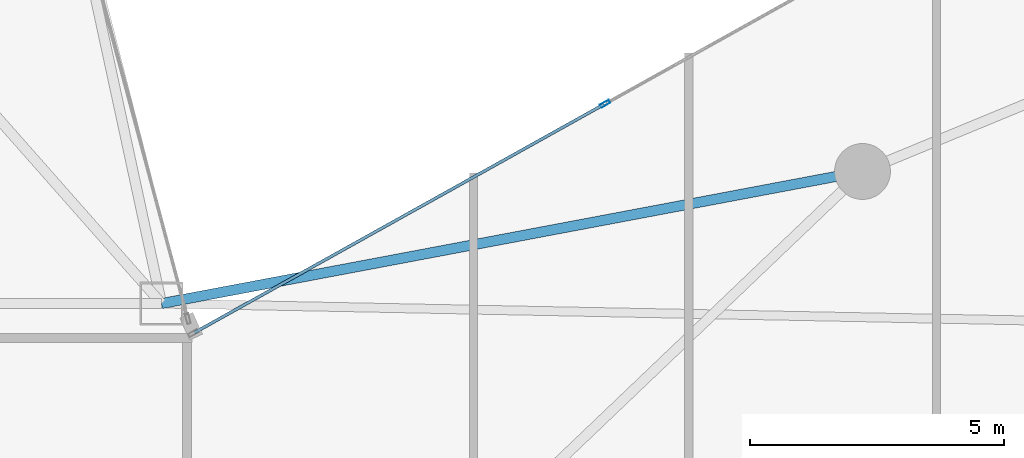
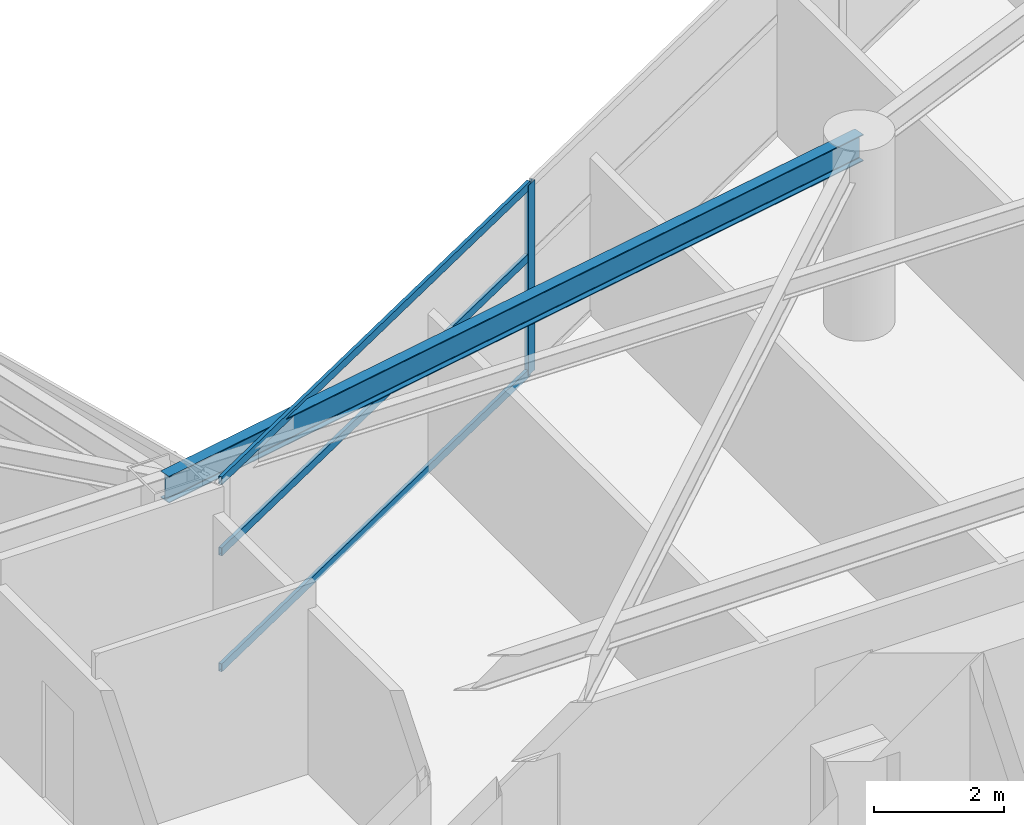
# One storey, part 11 of 29: 4 members, 1 beam, 1 element without a shape of its own.
"""IFC4 building model written with IfcOpenShell, lengths in metres."""

from ifc_helpers import new_model, si_unit, direction, frame, origin, origin_2d, place, context, subcontext, project, spatial, hollow_rectangle, i_section, extrude, material, layer, layer_set, material_profile, profile_set, type_object, element, aggregate, save


model = new_model("IFC4")

# Units and contexts
model_context = context("Model", 3, precision=1e-05, world=origin(), true_north=direction((0.0, 1.0)))
body_context = subcontext(model_context, "Body", "Model", "MODEL_VIEW")
ifc_project = project(units=[si_unit("LENGTHUNIT", "METRE"), si_unit("AREAUNIT", "SQUARE_METRE"), si_unit("VOLUMEUNIT", "CUBIC_METRE"), si_unit("PLANEANGLEUNIT", "RADIAN"), si_unit("MASSUNIT", "GRAM", prefix="KILO")], contexts=[model_context])

# Site, building, storey
site_placement = place(None, origin())
site = spatial("IfcSite", under=ifc_project, at=site_placement, CompositionType="ELEMENT")
building_placement = place(site_placement, origin())
building = spatial("IfcBuilding", under=site, at=building_placement, Name="Calvorn Quay Hotel", CompositionType="ELEMENT")
storey_placement = place(building_placement, frame((0.0, 0.0, 148.5)))
storey = spatial("IfcBuildingStorey", under=building, at=storey_placement, Name="L36", CompositionType="ELEMENT", Elevation=148.5)

# Beam
ifc_material_1 = material(Name="Steel Q355B", Category="steel")
ifc_material_profile_1 = material_profile(ifc_material_1, i_section(OverallWidth=0.199951171875, OverallDepth=0.5, WebThickness=0.010009765625, FlangeThickness=0.01611328125, FilletRadius=0.01611328125, at=origin_2d()), Name="HN500x200x10x16")
ifc_profile_set_1 = profile_set([ifc_material_profile_1], Name="Steel Q355B")
beam_type = type_object("IfcBeamType", Name="BM-SPANDREL-Z1", PredefinedType="SPANDREL", material=ifc_profile_set_1)
beam_placement = place(storey_placement, frame((34.800048828125, 27.60009765625, 3.2900390625), z_axis=(-0.982709432406, -0.185154452988, 0.0), x_axis=(0.185154452988, -0.982709432406, 0.0)))
element("IfcBeam", 1, at=beam_placement, inside=storey, type_object=beam_type, Name="Beam BSP-L36-E5", PredefinedType="SPANDREL", context=body_context, shape_type="SweptSolid", body=[
    extrude(i_section(OverallWidth=0.199951171875, OverallDepth=0.5, WebThickness=0.010009765625, FlangeThickness=0.01611328125, FilletRadius=0.01611328125, at=origin_2d()), origin(), (0.0, 0.0, 1.0), 14.04296875),
])

# Curtain wall, members
ifc_material_2 = material(Name="Pale Anodised Aluminium and Low-E Glass", Category="aluminium")
ifc_layer = layer(ifc_material_2, 0.219970703125)
ifc_layer_set = layer_set([ifc_layer], Name="CW-SYS-Z2")
curtain_wall_type = type_object("IfcCurtainWallType", Name="CW-SYS-Z2", PredefinedType="NOTDEFINED", material=ifc_layer_set)
curtain_wall_placement = place(storey_placement, origin())
curtain_wall = element("IfcCurtainWall", 2, at=curtain_wall_placement, inside=storey, type_object=curtain_wall_type, Name="Inner Court Curtain Wall L36-NE1", PredefinedType="NOTDEFINED")
ifc_material_3 = material(Name="Pale Anodised Aluminium 6063-T6", Category="aluminium")
ifc_material_profile_2 = material_profile(ifc_material_3, hollow_rectangle(XDim=0.070068359375, YDim=0.199951171875, WallThickness=0.00390625, at=origin_2d()), Name="ALU-M200x70x4")
ifc_profile_set_2 = profile_set([ifc_material_profile_2], Name="Pale Anodised Aluminium 6063-T6")
member_type_1 = type_object("IfcMemberType", Name="CW-SYS-Z2-MUL", PredefinedType="MULLION", material=ifc_profile_set_2)
member_1_placement = place(storey_placement, frame((29.7333984375, 28.933349609375, 0.0), z_axis=(0.0, 0.0, 1.0), x_axis=(0.486858256224, -0.873480989116, 0.0)))
member_1 = element("IfcMember", 3, at=member_1_placement, type_object=member_type_1, Name="CW-L36-NE1 mullion 3", PredefinedType="MULLION", context=body_context, shape_type="SweptSolid", body=[
    extrude(hollow_rectangle(XDim=0.070068359375, YDim=0.199951171875, WallThickness=0.00390625, at=origin_2d()), origin(), (0.0, 0.0, 1.0), 3.56005859375),
])
ifc_material_4 = material(Name="Pale Anodised Aluminium 6063-T6", Category="aluminium")
ifc_material_profile_3 = material_profile(ifc_material_4, hollow_rectangle(XDim=0.06005859375, YDim=0.14990234375, WallThickness=0.00341796875, at=origin_2d()), Name="ALU-T150x60x3.5")
ifc_profile_set_3 = profile_set([ifc_material_profile_3], Name="Pale Anodised Aluminium 6063-T6")
member_type_2 = type_object("IfcMemberType", Name="CW-SYS-Z2-TRN", PredefinedType="USERDEFINED", material=ifc_profile_set_3)
member_2_placement = place(storey_placement, frame((29.70703125, 28.918701171875, 0.030029296875), z_axis=(-0.87348080454, -0.486858587375, 0.0), x_axis=(0.486858587375, -0.87348080454, 0.0)))
member_2 = element("IfcMember", 4, at=member_2_placement, type_object=member_type_2, Name="CW-L36-NE1 transom 3.1", ObjectType="TRANSOM", PredefinedType="USERDEFINED", context=body_context, shape_type="SweptSolid", body=[
    extrude(hollow_rectangle(XDim=0.06005859375, YDim=0.14990234375, WallThickness=0.00341796875, at=origin_2d()), origin(), (0.0, 0.0, 1.0), 9.221435546875),
])
member_3_placement = place(storey_placement, frame((29.70703125, 28.918701171875, 2.199951171875), z_axis=(-0.87348080454, -0.486858587375, 0.0), x_axis=(0.486858587375, -0.87348080454, 0.0)))
member_3 = element("IfcMember", 5, at=member_3_placement, type_object=member_type_2, Name="CW-L36-NE1 transom 3.2", ObjectType="TRANSOM", PredefinedType="USERDEFINED", context=body_context, shape_type="SweptSolid", body=[
    extrude(hollow_rectangle(XDim=0.06005859375, YDim=0.14990234375, WallThickness=0.00341796875, at=origin_2d()), origin(), (0.0, 0.0, 1.0), 9.221435546875),
])
member_4_placement = place(storey_placement, frame((29.70703125, 28.918701171875, 3.530029296875), z_axis=(-0.87348080454, -0.486858587375, 0.0), x_axis=(0.486858587375, -0.87348080454, 0.0)))
member_4 = element("IfcMember", 6, at=member_4_placement, type_object=member_type_2, Name="CW-L36-NE1 transom 3.3", ObjectType="TRANSOM", PredefinedType="USERDEFINED", context=body_context, shape_type="SweptSolid", body=[
    extrude(hollow_rectangle(XDim=0.06005859375, YDim=0.14990234375, WallThickness=0.00341796875, at=origin_2d()), origin(), (0.0, 0.0, 1.0), 9.221435546875),
])
aggregate(curtain_wall, [member_1, member_2, member_3, member_4])

save(model, "model.ifc")
